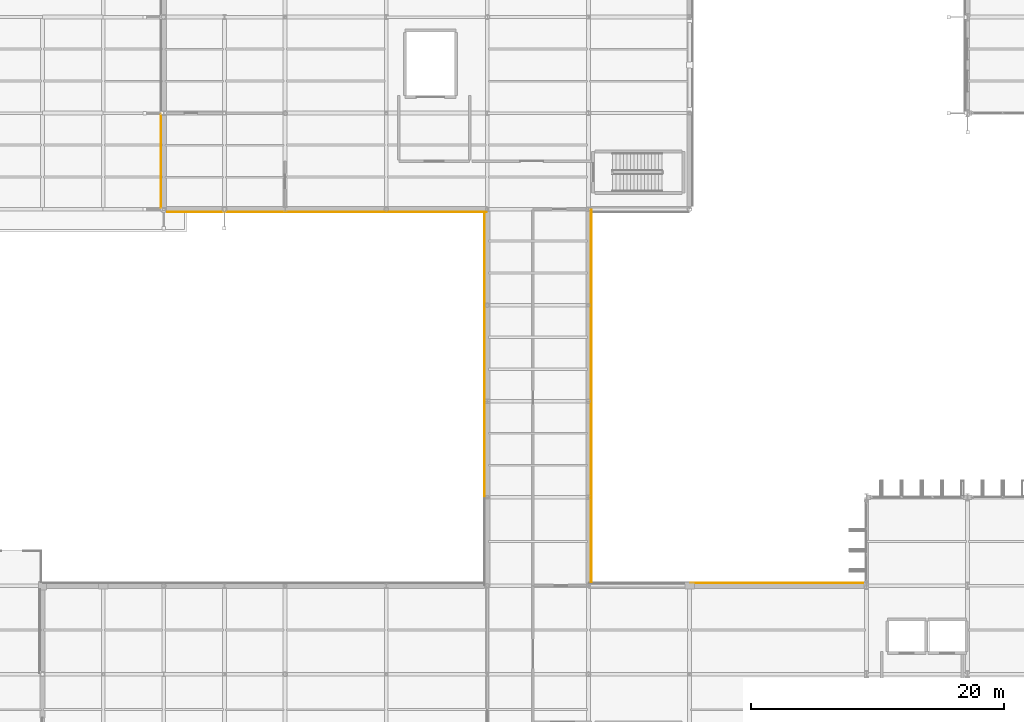
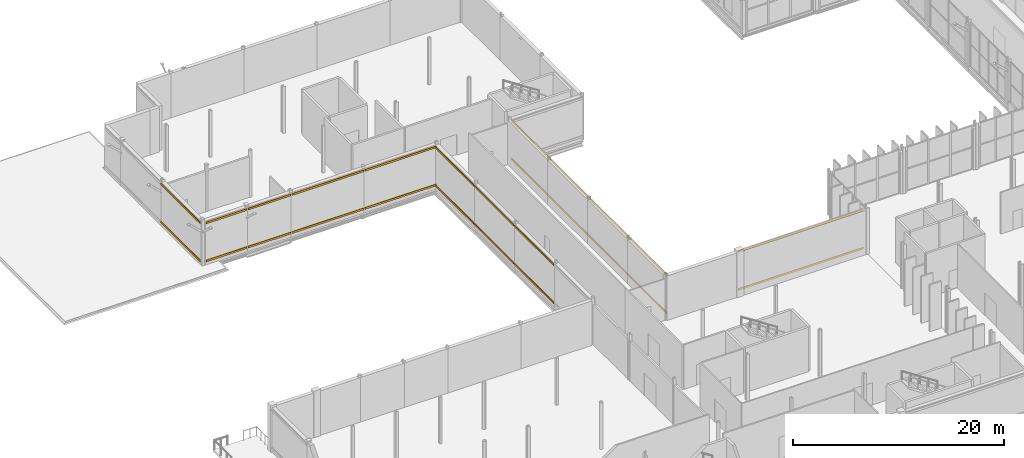
# One storey, part 138 of 147: 26 coverings.
"""IFC4 building model written with IfcOpenShell, lengths in metres."""

from ifc_helpers import new_model, si_unit, direction, frame, origin, origin_2d, place, context, subcontext, project, spatial, rectangle, extrude, material, layer, layer_set, type_object, element, save


model = new_model("IFC4")

# Units and contexts
model_context = context("Model", 3, precision=1e-05, world=origin(), true_north=direction((0.0, 1.0)))
body_context = subcontext(model_context, "Body", "Model", "MODEL_VIEW")
ifc_project = project(units=[si_unit("LENGTHUNIT", "METRE"), si_unit("AREAUNIT", "SQUARE_METRE"), si_unit("VOLUMEUNIT", "CUBIC_METRE"), si_unit("PLANEANGLEUNIT", "RADIAN"), si_unit("MASSUNIT", "GRAM", prefix="KILO")], contexts=[model_context])

# Site, building, storey
site_placement = place(None, origin())
site = spatial("IfcSite", under=ifc_project, at=site_placement, CompositionType="ELEMENT")
building_placement = place(site_placement, origin())
building = spatial("IfcBuilding", under=site, at=building_placement, Name="Vekula Escarpment Museum", CompositionType="ELEMENT")
storey_placement = place(building_placement, frame((0.0, 0.0, 7.800048828125)))
storey = spatial("IfcBuildingStorey", under=building, at=storey_placement, Name="L02", CompositionType="ELEMENT", Elevation=7.800048828125)

# Coverings
ifc_material = material(Name="Polychrome limestone almasik string-course band", Category="masonry")
ifc_layer = layer(ifc_material, 0.06005859375)
ifc_layer_set = layer_set([ifc_layer], Name="Polychrome limestone almasik string-course band")
covering_type = type_object("IfcCoveringType", Name="COV-ALM-BAND", PredefinedType="CLADDING", material=ifc_layer_set)
for number, where, z_axis, x_axis, name in (
    (1, (62.910400390625, 83.6259765625, 0.41015625), (0.0, 0.0, 1.0), (1.0, 0.0, 0.0), "Almasik Stone String Course L02-0370"),
    (2, (62.910400390625, 83.6259765625, 4.81982421875), (0.0, 0.0, 1.0), (1.0, 0.0, 0.0), "Almasik Stone String Course L02-0371"),
):
    element("IfcCovering", number, at=place(storey_placement, frame(where, z_axis=z_axis, x_axis=x_axis)), inside=storey, type_object=covering_type, Name=name, PredefinedType="CLADDING", context=body_context, shape_type="SweptSolid", body=[
        extrude(rectangle(XDim=13.700927734375, YDim=0.06005859375, at=origin_2d()), origin(), (0.0, 0.0, 1.0), 0.219970703125),
    ])
for number, where, z_axis, x_axis, name in (
    (3, (48.22607421875, 87.001953125, 0.41015625), (0.0, 0.0, 1.0), (0.0, 1.0, 0.0), "Almasik Stone String Course L02-0374"),
    (4, (48.22607421875, 87.001953125, 4.81982421875), (0.0, 0.0, 1.0), (0.0, 1.0, 0.0), "Almasik Stone String Course L02-0375"),
):
    element("IfcCovering", number, at=place(storey_placement, frame(where, z_axis=z_axis, x_axis=x_axis)), inside=storey, type_object=covering_type, Name=name, PredefinedType="CLADDING", context=body_context, shape_type="SweptSolid", body=[
        extrude(rectangle(XDim=6.676025390625, YDim=0.06005859375, at=origin_2d()), origin(), (0.0, 0.0, 1.0), 0.219970703125),
    ])
for number, where, z_axis, x_axis, name in (
    (5, (48.22607421875, 94.199951171875, 0.41015625), (0.0, 0.0, 1.0), (0.0, 1.0, 0.0), "Almasik Stone String Course L02-0376"),
    (6, (48.22607421875, 94.199951171875, 4.81982421875), (0.0, 0.0, 1.0), (0.0, 1.0, 0.0), "Almasik Stone String Course L02-0377"),
    (7, (48.22607421875, 101.800048828125, 0.41015625), (0.0, 0.0, 1.0), (0.0, 1.0, 0.0), "Almasik Stone String Course L02-0378"),
    (8, (48.22607421875, 101.800048828125, 4.81982421875), (0.0, 0.0, 1.0), (0.0, 1.0, 0.0), "Almasik Stone String Course L02-0379"),
    (9, (48.22607421875, 109.39990234375, 0.41015625), (0.0, 0.0, 1.0), (0.0, 1.0, 0.0), "Almasik Stone String Course L02-0380"),
    (10, (48.22607421875, 109.39990234375, 4.81982421875), (0.0, 0.0, 1.0), (0.0, 1.0, 0.0), "Almasik Stone String Course L02-0381"),
    (11, (14.174072265625, 117.0, 0.41015625), (0.0, 0.0, 1.0), (0.0, 1.0, 0.0), "Almasik Stone String Course L02-0408"),
    (12, (14.174072265625, 117.0, 4.81982421875), (0.0, 0.0, 1.0), (0.0, 1.0, 0.0), "Almasik Stone String Course L02-0409"),
):
    element("IfcCovering", number, at=place(storey_placement, frame(where, z_axis=z_axis, x_axis=x_axis)), inside=storey, type_object=covering_type, Name=name, PredefinedType="CLADDING", context=body_context, shape_type="SweptSolid", body=[
        extrude(rectangle(XDim=7.47998046875, YDim=0.06005859375, at=origin_2d()), origin(), (0.0, 0.0, 1.0), 0.219970703125),
    ])
for number, where, z_axis, x_axis, name in (
    (13, (16.902099609375, 112.97412109375, 0.41015625), (0.0, 0.0, 1.0), (1.0, 0.0, 0.0), "Almasik Stone String Course L02-0410"),
    (14, (16.902099609375, 112.97412109375, 4.81982421875), (0.0, 0.0, 1.0), (1.0, 0.0, 0.0), "Almasik Stone String Course L02-0411"),
):
    element("IfcCovering", number, at=place(storey_placement, frame(where, z_axis=z_axis, x_axis=x_axis)), inside=storey, type_object=covering_type, Name=name, PredefinedType="CLADDING", context=body_context, shape_type="SweptSolid", body=[
        extrude(rectangle(XDim=4.47607421875, YDim=0.06005859375, at=origin_2d()), origin(), (0.0, 0.0, 1.0), 0.219970703125),
    ])
for number, where, z_axis, x_axis, name in (
    (15, (21.60009765625, 112.97412109375, 0.41015625), (0.0, 0.0, 1.0), (1.0, 0.0, 0.0), "Almasik Stone String Course L02-0412"),
    (16, (21.60009765625, 112.97412109375, 4.81982421875), (0.0, 0.0, 1.0), (1.0, 0.0, 0.0), "Almasik Stone String Course L02-0413"),
):
    element("IfcCovering", number, at=place(storey_placement, frame(where, z_axis=z_axis, x_axis=x_axis)), inside=storey, type_object=covering_type, Name=name, PredefinedType="CLADDING", context=body_context, shape_type="SweptSolid", body=[
        extrude(rectangle(XDim=4.679931640625, YDim=0.06005859375, at=origin_2d()), origin(), (0.0, 0.0, 1.0), 0.219970703125),
    ])
for number, where, z_axis, x_axis, name in (
    (17, (28.0, 112.97412109375, 0.41015625), (0.0, 0.0, 1.0), (1.0, 0.0, 0.0), "Almasik Stone String Course L02-0414"),
    (18, (28.0, 112.97412109375, 4.81982421875), (0.0, 0.0, 1.0), (1.0, 0.0, 0.0), "Almasik Stone String Course L02-0415"),
    (19, (36.0, 112.97412109375, 0.41015625), (0.0, 0.0, 1.0), (1.0, 0.0, 0.0), "Almasik Stone String Course L02-0416"),
    (20, (36.0, 112.97412109375, 4.81982421875), (0.0, 0.0, 1.0), (1.0, 0.0, 0.0), "Almasik Stone String Course L02-0417"),
):
    element("IfcCovering", number, at=place(storey_placement, frame(where, z_axis=z_axis, x_axis=x_axis)), inside=storey, type_object=covering_type, Name=name, PredefinedType="CLADDING", context=body_context, shape_type="SweptSolid", body=[
        extrude(rectangle(XDim=7.8798828125, YDim=0.06005859375, at=origin_2d()), origin(), (0.0, 0.0, 1.0), 0.219970703125),
    ])
for number, where, z_axis, x_axis, name in (
    (21, (39.77392578125, 109.298095703125, 0.41015625), (0.0, 0.0, 1.0), (0.0, 1.0, 0.0), "Almasik Stone String Course L02-0418"),
    (22, (39.77392578125, 109.298095703125, 4.81982421875), (0.0, 0.0, 1.0), (0.0, 1.0, 0.0), "Almasik Stone String Course L02-0419"),
):
    element("IfcCovering", number, at=place(storey_placement, frame(where, z_axis=z_axis, x_axis=x_axis)), inside=storey, type_object=covering_type, Name=name, PredefinedType="CLADDING", context=body_context, shape_type="SweptSolid", body=[
        extrude(rectangle(XDim=7.27587890625, YDim=0.06005859375, at=origin_2d()), origin(), (0.0, 0.0, 1.0), 0.219970703125),
    ])
for number, where, z_axis, x_axis, name in (
    (23, (39.77392578125, 101.800048828125, 0.41015625), (0.0, 0.0, 1.0), (0.0, 1.0, 0.0), "Almasik Stone String Course L02-0420"),
    (24, (39.77392578125, 101.800048828125, 4.81982421875), (0.0, 0.0, 1.0), (0.0, 1.0, 0.0), "Almasik Stone String Course L02-0421"),
    (25, (39.77392578125, 94.199951171875, 0.41015625), (0.0, 0.0, 1.0), (0.0, 1.0, 0.0), "Almasik Stone String Course L02-0422"),
    (26, (39.77392578125, 94.199951171875, 4.81982421875), (0.0, 0.0, 1.0), (0.0, 1.0, 0.0), "Almasik Stone String Course L02-0423"),
):
    element("IfcCovering", number, at=place(storey_placement, frame(where, z_axis=z_axis, x_axis=x_axis)), inside=storey, type_object=covering_type, Name=name, PredefinedType="CLADDING", context=body_context, shape_type="SweptSolid", body=[
        extrude(rectangle(XDim=7.47998046875, YDim=0.06005859375, at=origin_2d()), origin(), (0.0, 0.0, 1.0), 0.219970703125),
    ])

save(model, "model.ifc")
